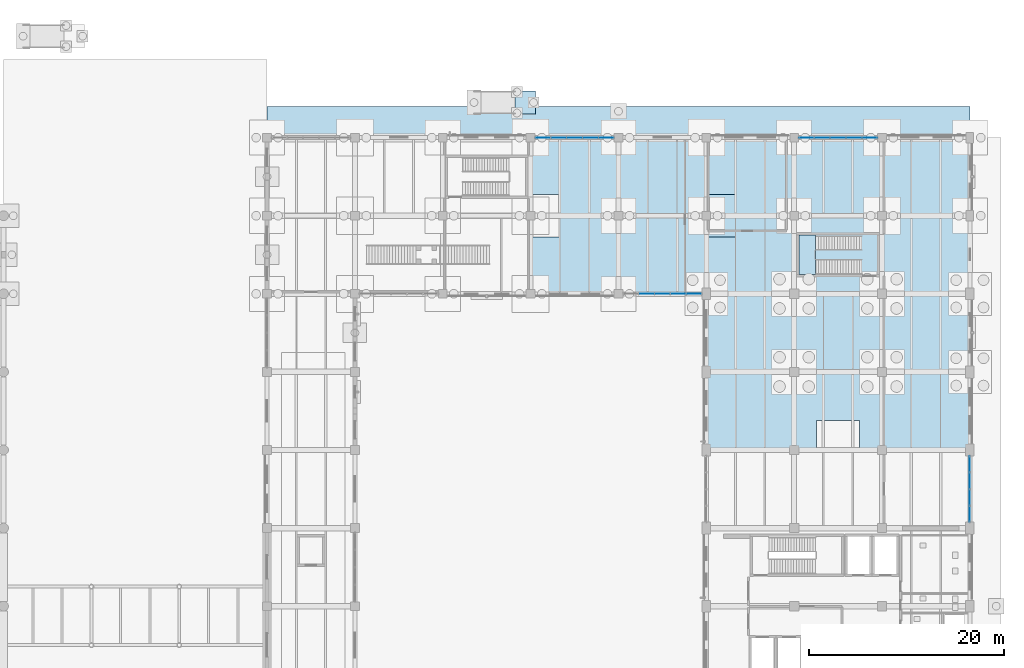
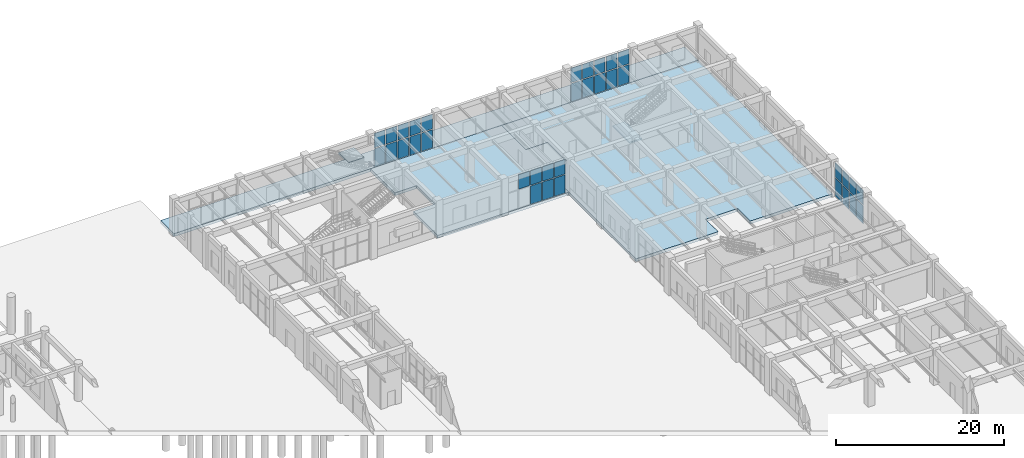
# One storey, part 87 of 121: 35 plates, 5 slabs, 6 elements without a shape of their own.
"""IFC4 building model written with IfcOpenShell, lengths in metres."""

import ifcopenshell
import ifcopenshell.guid

model = None  # the IFC model being written
_history = None  # IfcOwnerHistory: only IFC2X3 demands one
_inside = {}  # id of a spatial element -> (the spatial element, [elements in it])
_under = {}  # id of a project, library or spatial element -> (it, [spatial elements below it])
_declared = {}  # id of a project -> (the project, [libraries it declares])
_typed = {}  # id of a type object -> (the type object, [elements of that type])
_made_of = {}  # id of a material, layer set ... -> (it, [elements and type objects made of it])


def new_model(schema):
    """Start an empty IFC model of exactly this schema.

    Asked for "IFC4X3", IfcOpenShell would pick the latest addendum, in which some entities
    have other attributes; the version numbers below select the first issue.
    IFC2X3 requires an IfcOwnerHistory on every rooted entity: one is made here for all.
    """
    global model, _history
    if schema == "IFC4X3":
        model = ifcopenshell.file(schema_version=(4, 3, 0, 0))
    else:
        model = ifcopenshell.file(schema=schema)
    _inside.clear()
    _under.clear()
    _declared.clear()
    _typed.clear()
    _made_of.clear()
    _history = None
    if model.schema == "IFC2X3":
        org = make("IfcOrganization", Name="unknown")
        user = make(
            "IfcPersonAndOrganization",
            ThePerson=make("IfcPerson", FamilyName="unknown"),
            TheOrganization=org,
        )
        app = make(
            "IfcApplication",
            ApplicationDeveloper=org,
            Version="unknown",
            ApplicationFullName="unknown",
            ApplicationIdentifier="unknown",
        )
        _history = make(
            "IfcOwnerHistory",
            OwningUser=user,
            OwningApplication=app,
            ChangeAction="ADDED",
            CreationDate=0,
        )
    return model


def make(cls, **values):
    """One entity of the class cls with the attributes given. An attribute that is None is left unset."""
    return model.create_entity(
        cls, **{name: value for name, value in values.items() if value is not None}
    )


def rooted(cls, **values):
    """An entity with a GlobalId (a new one), such as an element, a storey or a relation."""
    return make(cls, GlobalId=ifcopenshell.guid.new(), OwnerHistory=_history, **values)


def si_unit(unit_type, name, prefix=None):
    """IfcSIUnit, for example si_unit("LENGTHUNIT", "METRE", prefix="MILLI")."""
    return make("IfcSIUnit", UnitType=unit_type, Prefix=prefix, Name=name)


def derived_unit(unit_type, elements):
    """IfcDerivedUnit: a product of units, each with its exponent."""
    return make(
        "IfcDerivedUnit",
        Elements=[
            make("IfcDerivedUnitElement", Unit=unit, Exponent=power)
            for unit, power in elements
        ],
        UnitType=unit_type,
    )


def assignment(units):
    """IfcUnitAssignment: the units of a project."""
    return None if units is None else make("IfcUnitAssignment", Units=units)


def point(xyz):
    """IfcCartesianPoint."""
    return None if xyz is None else make("IfcCartesianPoint", Coordinates=xyz)


def direction(xyz):
    """IfcDirection."""
    return None if xyz is None else make("IfcDirection", DirectionRatios=xyz)


def frame(location, z_axis=None, x_axis=None):
    """IfcAxis2Placement3D, a coordinate frame: its origin and axes. An axis left out is left unset."""
    return make(
        "IfcAxis2Placement3D",
        Location=point(location),
        Axis=direction(z_axis),
        RefDirection=direction(x_axis),
    )


def frame_2d(location, x_axis=None):
    """IfcAxis2Placement2D, a coordinate frame in the plane: its origin and x axis."""
    return make(
        "IfcAxis2Placement2D", Location=point(location), RefDirection=direction(x_axis)
    )


def origin():
    """The frame at (0, 0, 0) with its axes left unset."""
    return frame((0.0, 0.0, 0.0))


def origin_2d():
    """The frame at (0, 0) in the plane with its x axis left unset."""
    return frame_2d((0.0, 0.0))


def place(relative_to, where):
    """IfcLocalPlacement: puts the frame where relative to a parent placement (None: the world)."""
    return make(
        "IfcLocalPlacement", PlacementRelTo=relative_to, RelativePlacement=where
    )


def context(
    kind, dimensions, precision=None, world=None, true_north=None, identifier=None
):
    """IfcGeometricRepresentationContext, for example the 3D "Model" context."""
    return make(
        "IfcGeometricRepresentationContext",
        ContextIdentifier=identifier,
        ContextType=kind,
        CoordinateSpaceDimension=dimensions,
        Precision=precision,
        WorldCoordinateSystem=world,
        TrueNorth=true_north,
    )


def subcontext(parent, identifier, kind, view, scale=None):
    """IfcGeometricRepresentationSubContext, for example "Body" below "Model"."""
    return make(
        "IfcGeometricRepresentationSubContext",
        ContextIdentifier=identifier,
        ContextType=kind,
        ParentContext=parent,
        TargetScale=scale,
        TargetView=view,
    )


def project(units=None, contexts=None):
    """IfcProject with its units and contexts."""
    return rooted(
        "IfcProject",
        Name="project",
        RepresentationContexts=contexts,
        UnitsInContext=assignment(units),
    )


def spatial(cls, under=None, at=None, **own):
    """A site, building, storey or space (cls), placed at a placement, below another one or the project."""
    s = rooted(cls, ObjectPlacement=at, **own)
    if under is not None:
        _under.setdefault(under.id(), (under, []))[1].append(s)
    return s


def polyline(points):
    """IfcPolyline through the points."""
    return make("IfcPolyline", Points=[point(p) for p in points])


def profile(cls, at=None, kind="AREA", **sizes):
    """A parametric profile (cls). Its sizes go by their IFC names, for example OverallWidth=200.0."""
    return make(cls, ProfileType=kind, Position=at, **sizes)


def rectangle(**sizes):
    """IfcRectangleProfileDef."""
    return profile("IfcRectangleProfileDef", **sizes)


def outline(outer, holes=None, kind="AREA"):
    """IfcArbitraryClosedProfileDef: a profile drawn as a closed curve; with holes, ...WithVoids."""
    if holes is None:
        return make("IfcArbitraryClosedProfileDef", ProfileType=kind, OuterCurve=outer)
    return make(
        "IfcArbitraryProfileDefWithVoids",
        ProfileType=kind,
        OuterCurve=outer,
        InnerCurves=holes,
    )


def extrude(swept, where, along, depth):
    """IfcExtrudedAreaSolid: the profile swept, set in the frame where, extruded along a direction by depth."""
    return make(
        "IfcExtrudedAreaSolid",
        SweptArea=swept,
        Position=where,
        ExtrudedDirection=direction(along),
        Depth=depth,
    )


def shape(context_of_items, identifier, shape_type, items):
    """IfcShapeRepresentation: the items that make up one representation, for example the "Body"."""
    return make(
        "IfcShapeRepresentation",
        ContextOfItems=context_of_items,
        RepresentationIdentifier=identifier,
        RepresentationType=shape_type,
        Items=items,
    )


def material(Name=None, Category=None):
    """IfcMaterial."""
    return make("IfcMaterial", Name=Name, Category=Category)


def layer(
    of_material, thickness, ventilated=None, Name=None, Category=None, Priority=None
):
    """IfcMaterialLayer: one layer of a wall or slab, of a material (None: an air gap)."""
    return make(
        "IfcMaterialLayer",
        Material=of_material,
        LayerThickness=thickness,
        IsVentilated=ventilated,
        Name=Name,
        Category=Category,
        Priority=Priority,
    )


def layer_set(layers, Name=None):
    """IfcMaterialLayerSet."""
    return make("IfcMaterialLayerSet", MaterialLayers=layers, LayerSetName=Name)


def made_of(thing, what):
    """Note that an element or type object is made of a material, layer set ...; save() writes the relation."""
    if what is not None:
        _made_of.setdefault(what.id(), (what, []))[1].append(thing)
    return thing


def type_object(cls, material=None, **own):
    """A type object (cls), such as IfcWallType, which elements share."""
    return made_of(rooted(cls, **own), material)


def element(
    cls,
    number,
    at=None,
    inside=None,
    cuts=None,
    type_object=None,
    material=None,
    context=None,
    identifier="Body",
    shape_type=None,
    held_by="IfcProductDefinitionShape",
    body=None,
    shapes=None,
    **own,
):
    """One element of the class cls, such as IfcWall. Its Tag is "e" and its number.

    at: its placement. inside: the storey or other place that contains it. cuts: it is an
    opening in that element (IfcRelVoidsElement). A single representation is given by context,
    identifier, shape_type and body (its items); several are given by shapes. held_by: the class
    of the entity that holds the representations. save() writes the other relations.
    """
    e = rooted(cls, Tag="e%d" % number, ObjectPlacement=at, **own)
    if body is not None:
        shapes = [shape(context, identifier, shape_type, body)]
    if shapes is not None:
        e.Representation = make(held_by, Representations=shapes)
    if inside is not None:
        _inside.setdefault(inside.id(), (inside, []))[1].append(e)
    if cuts is not None:
        rooted(
            "IfcRelVoidsElement", RelatingBuildingElement=cuts, RelatedOpeningElement=e
        )
    if type_object is not None:
        _typed.setdefault(type_object.id(), (type_object, []))[1].append(e)
    return made_of(e, material)


def aggregate(whole, parts):
    """IfcRelAggregates: a whole, such as a stair, and the parts it consists of."""
    return rooted("IfcRelAggregates", RelatingObject=whole, RelatedObjects=parts)


def save(model, path):
    """Write the relations noted so far, then the file.

    IfcRelAggregates (storeys below a building ...), IfcRelContainedInSpatialStructure (elements
    in a storey), IfcRelDefinesByType, IfcRelAssociatesMaterial and IfcRelDeclares: one each for
    every whole, place, type object, material and project.
    """
    for whole, parts in _under.values():
        aggregate(whole, parts)
    for where, things in _inside.values():
        rooted(
            "IfcRelContainedInSpatialStructure",
            RelatedElements=things,
            RelatingStructure=where,
        )
    for kind, things in _typed.values():
        rooted("IfcRelDefinesByType", RelatedObjects=things, RelatingType=kind)
    for what, things in _made_of.values():
        rooted("IfcRelAssociatesMaterial", RelatedObjects=things, RelatingMaterial=what)
    for by, libraries in _declared.values():
        rooted("IfcRelDeclares", RelatingContext=by, RelatedDefinitions=libraries)
    model.write(path)


model = new_model("IFC4")

# Units and contexts
model_context = context("Model", 3, precision=1e-05, world=origin(), true_north=direction((0.0, 1.0)))
body_context = subcontext(model_context, "Body", "Model", "MODEL_VIEW")
ifc_project = project(units=[si_unit("LENGTHUNIT", "METRE"), si_unit("AREAUNIT", "SQUARE_METRE"), si_unit("VOLUMEUNIT", "CUBIC_METRE"), si_unit("PLANEANGLEUNIT", "RADIAN"), si_unit("MASSUNIT", "GRAM", prefix="KILO"), derived_unit("THERMALTRANSMITTANCEUNIT", [(si_unit("MASSUNIT", "GRAM", prefix="KILO"), 1), (si_unit("TIMEUNIT", "SECOND"), -3), (si_unit("THERMODYNAMICTEMPERATUREUNIT", "KELVIN"), -1)])], contexts=[model_context])

# Site, building, storey
site_placement = place(None, origin())
site = spatial("IfcSite", under=ifc_project, at=site_placement, CompositionType="ELEMENT")
building_placement = place(site_placement, origin())
building = spatial("IfcBuilding", under=site, at=building_placement, Name="Zhenchuan Archway Interchange", CompositionType="ELEMENT")
storey_placement = place(building_placement, origin())
storey = spatial("IfcBuildingStorey", under=building, at=storey_placement, Name="L00", CompositionType="ELEMENT", Elevation=0.0)

# Curtain wall, plates
ifc_material_1 = material(Name="Anodised Aluminium", Category="aluminium")
curtain_wall_type_1 = type_object("IfcCurtainWallType", Name="CW_UNIT_1", PredefinedType="NOTDEFINED", material=ifc_material_1)
curtain_wall_1_placement = place(storey_placement, origin())
curtain_wall_1 = element("IfcCurtainWall", 1, at=curtain_wall_1_placement, inside=storey, type_object=curtain_wall_type_1, Name="Unitised curtain wall CW:L00:012", PredefinedType="NOTDEFINED")
ifc_material_2 = material(Name="Double Low-E Insulated Glazing", Category="glass")
ifc_layer_1 = layer(ifc_material_2, 0.031982421875)
ifc_layer_set_1 = layer_set([ifc_layer_1], Name="Double Low-E Insulated Glazing")
plate_type_1 = type_object("IfcPlateType", Name="CW_GLZ_5", PredefinedType="CURTAIN_PANEL", material=ifc_layer_set_1)
plate_1_placement = place(storey_placement, frame((127.244384765625, 104.0, 0.080078125), z_axis=(0.0, 0.0, 1.0), x_axis=(1.0, 0.0, 0.0)))
plate_1 = element("IfcPlate", 2, at=plate_1_placement, type_object=plate_type_1, Name="CW:L00:012 lower glazing panel 0", PredefinedType="CURTAIN_PANEL", context=body_context, shape_type="SweptSolid", body=[
    extrude(rectangle(XDim=1.472900390625, YDim=0.028076171875, at=origin_2d()), origin(), (0.0, 0.0, 1.0), 2.64306640625),
])
plate_2_placement = place(storey_placement, frame((128.8671875, 104.0, 0.080078125), z_axis=(0.0, 0.0, 1.0), x_axis=(1.0, 0.0, 0.0)))
plate_2 = element("IfcPlate", 3, at=plate_2_placement, type_object=plate_type_1, Name="CW:L00:012 lower glazing panel 1", PredefinedType="CURTAIN_PANEL", context=body_context, shape_type="SweptSolid", body=[
    extrude(rectangle(XDim=1.492919921875, YDim=0.028076171875, at=origin_2d()), origin(), (0.0, 0.0, 1.0), 2.64306640625),
])
plate_3_placement = place(storey_placement, frame((130.5, 104.0, 0.080078125), z_axis=(0.0, 0.0, 1.0), x_axis=(1.0, 0.0, 0.0)))
plate_3 = element("IfcPlate", 4, at=plate_3_placement, type_object=plate_type_1, Name="CW:L00:012 lower glazing panel 2", PredefinedType="CURTAIN_PANEL", context=body_context, shape_type="SweptSolid", body=[
    extrude(rectangle(XDim=1.492919921875, YDim=0.028076171875, at=origin_2d()), origin(), (0.0, 0.0, 1.0), 2.64306640625),
])
plate_4_placement = place(storey_placement, frame((132.1328125, 104.0, 0.080078125), z_axis=(0.0, 0.0, 1.0), x_axis=(1.0, 0.0, 0.0)))
plate_4 = element("IfcPlate", 5, at=plate_4_placement, type_object=plate_type_1, Name="CW:L00:012 lower glazing panel 3", PredefinedType="CURTAIN_PANEL", context=body_context, shape_type="SweptSolid", body=[
    extrude(rectangle(XDim=1.492919921875, YDim=0.028076171875, at=origin_2d()), origin(), (0.0, 0.0, 1.0), 2.64306640625),
])
plate_5_placement = place(storey_placement, frame((133.755615234375, 104.0, 0.080078125), z_axis=(0.0, 0.0, 1.0), x_axis=(1.0, 0.0, 0.0)))
plate_5 = element("IfcPlate", 6, at=plate_5_placement, type_object=plate_type_1, Name="CW:L00:012 lower glazing panel 4", PredefinedType="CURTAIN_PANEL", context=body_context, shape_type="SweptSolid", body=[
    extrude(rectangle(XDim=1.472900390625, YDim=0.028076171875, at=origin_2d()), origin(), (0.0, 0.0, 1.0), 2.64306640625),
])

curtain_wall_type_2 = type_object("IfcCurtainWallType", Name="CW_UNIT_2", PredefinedType="NOTDEFINED", material=ifc_material_1)
curtain_wall_2_placement = place(storey_placement, origin())
curtain_wall_2 = element("IfcCurtainWall", 7, at=curtain_wall_2_placement, inside=storey, type_object=curtain_wall_type_2, Name="Unitised curtain wall CW:L00:013", PredefinedType="NOTDEFINED")
plate_6_placement = place(storey_placement, frame((154.244384765625, 104.0, 0.080078125), z_axis=(0.0, 0.0, 1.0), x_axis=(1.0, 0.0, 0.0)))
plate_6 = element("IfcPlate", 8, at=plate_6_placement, type_object=plate_type_1, Name="CW:L00:013 lower glazing panel 0", PredefinedType="CURTAIN_PANEL", context=body_context, shape_type="SweptSolid", body=[
    extrude(rectangle(XDim=1.472900390625, YDim=0.028076171875, at=origin_2d()), origin(), (0.0, 0.0, 1.0), 2.64306640625),
])
plate_7_placement = place(storey_placement, frame((155.8671875, 104.0, 0.080078125), z_axis=(0.0, 0.0, 1.0), x_axis=(1.0, 0.0, 0.0)))
plate_7 = element("IfcPlate", 9, at=plate_7_placement, type_object=plate_type_1, Name="CW:L00:013 lower glazing panel 1", PredefinedType="CURTAIN_PANEL", context=body_context, shape_type="SweptSolid", body=[
    extrude(rectangle(XDim=1.492919921875, YDim=0.028076171875, at=origin_2d()), origin(), (0.0, 0.0, 1.0), 2.64306640625),
])
plate_8_placement = place(storey_placement, frame((157.5, 104.0, 0.080078125), z_axis=(0.0, 0.0, 1.0), x_axis=(1.0, 0.0, 0.0)))
plate_8 = element("IfcPlate", 10, at=plate_8_placement, type_object=plate_type_1, Name="CW:L00:013 lower glazing panel 2", PredefinedType="CURTAIN_PANEL", context=body_context, shape_type="SweptSolid", body=[
    extrude(rectangle(XDim=1.492919921875, YDim=0.028076171875, at=origin_2d()), origin(), (0.0, 0.0, 1.0), 2.64306640625),
])
plate_9_placement = place(storey_placement, frame((159.1328125, 104.0, 0.080078125), z_axis=(0.0, 0.0, 1.0), x_axis=(1.0, 0.0, 0.0)))
plate_9 = element("IfcPlate", 11, at=plate_9_placement, type_object=plate_type_1, Name="CW:L00:013 lower glazing panel 3", PredefinedType="CURTAIN_PANEL", context=body_context, shape_type="SweptSolid", body=[
    extrude(rectangle(XDim=1.492919921875, YDim=0.028076171875, at=origin_2d()), origin(), (0.0, 0.0, 1.0), 2.64306640625),
])
plate_10_placement = place(storey_placement, frame((160.755615234375, 104.0, 0.080078125), z_axis=(0.0, 0.0, 1.0), x_axis=(1.0, 0.0, 0.0)))
plate_10 = element("IfcPlate", 12, at=plate_10_placement, type_object=plate_type_1, Name="CW:L00:013 lower glazing panel 4", PredefinedType="CURTAIN_PANEL", context=body_context, shape_type="SweptSolid", body=[
    extrude(rectangle(XDim=1.472900390625, YDim=0.028076171875, at=origin_2d()), origin(), (0.0, 0.0, 1.0), 2.64306640625),
])

curtain_wall_type_3 = type_object("IfcCurtainWallType", Name="CW_UNIT_3", PredefinedType="NOTDEFINED", material=ifc_material_1)
curtain_wall_3_placement = place(storey_placement, origin())
curtain_wall_3 = element("IfcCurtainWall", 13, at=curtain_wall_3_placement, inside=storey, type_object=curtain_wall_type_3, Name="Unitised curtain wall CW:L00:014", PredefinedType="NOTDEFINED")
plate_11_placement = place(storey_placement, frame((171.0, 70.56396484375, 0.080078125), z_axis=(0.0, 0.0, 1.0), x_axis=(0.0, -1.0, 0.0)))
plate_11 = element("IfcPlate", 14, at=plate_11_placement, type_object=plate_type_1, Name="CW:L00:014 lower glazing panel 0", PredefinedType="CURTAIN_PANEL", context=body_context, shape_type="SweptSolid", body=[
    extrude(rectangle(XDim=1.555908203125, YDim=0.028076171875, at=origin_2d()), origin(), (0.0, 0.0, 1.0), 2.64306640625),
])
plate_12_placement = place(storey_placement, frame((171.0, 68.85791015625, 0.080078125), z_axis=(0.0, 0.0, 1.0), x_axis=(0.0, -1.0, 0.0)))
plate_12 = element("IfcPlate", 15, at=plate_12_placement, type_object=plate_type_1, Name="CW:L00:014 lower glazing panel 1", PredefinedType="CURTAIN_PANEL", context=body_context, shape_type="SweptSolid", body=[
    extrude(rectangle(XDim=1.575927734375, YDim=0.028076171875, at=origin_2d()), origin(), (0.0, 0.0, 1.0), 2.64306640625),
])
plate_13_placement = place(storey_placement, frame((171.0, 67.14208984375, 0.080078125), z_axis=(0.0, 0.0, 1.0), x_axis=(0.0, -1.0, 0.0)))
plate_13 = element("IfcPlate", 16, at=plate_13_placement, type_object=plate_type_1, Name="CW:L00:014 lower glazing panel 2", PredefinedType="CURTAIN_PANEL", context=body_context, shape_type="SweptSolid", body=[
    extrude(rectangle(XDim=1.575927734375, YDim=0.028076171875, at=origin_2d()), origin(), (0.0, 0.0, 1.0), 2.64306640625),
])
plate_14_placement = place(storey_placement, frame((171.0, 65.43603515625, 0.080078125), z_axis=(0.0, 0.0, 1.0), x_axis=(0.0, -1.0, 0.0)))
plate_14 = element("IfcPlate", 17, at=plate_14_placement, type_object=plate_type_1, Name="CW:L00:014 lower glazing panel 3", PredefinedType="CURTAIN_PANEL", context=body_context, shape_type="SweptSolid", body=[
    extrude(rectangle(XDim=1.555908203125, YDim=0.028076171875, at=origin_2d()), origin(), (0.0, 0.0, 1.0), 2.64306640625),
])

curtain_wall_type_4 = type_object("IfcCurtainWallType", Name="CW_UNIT_4", PredefinedType="NOTDEFINED", material=ifc_material_1)
curtain_wall_4_placement = place(storey_placement, origin())
curtain_wall_4 = element("IfcCurtainWall", 18, at=curtain_wall_4_placement, inside=storey, type_object=curtain_wall_type_4, Name="Unitised curtain wall CW:L00:023", PredefinedType="NOTDEFINED")
plate_15_placement = place(storey_placement, frame((142.755615234375, 88.0, 0.080078125), z_axis=(0.0, 0.0, 1.0), x_axis=(-1.0, 0.0, 0.0)))
plate_15 = element("IfcPlate", 19, at=plate_15_placement, type_object=plate_type_1, Name="CW:L00:023 lower glazing panel 0", PredefinedType="CURTAIN_PANEL", context=body_context, shape_type="SweptSolid", body=[
    extrude(rectangle(XDim=1.472900390625, YDim=0.028076171875, at=origin_2d()), origin(), (0.0, 0.0, 1.0), 2.64306640625),
])
plate_16_placement = place(storey_placement, frame((141.1328125, 88.0, 0.080078125), z_axis=(0.0, 0.0, 1.0), x_axis=(-1.0, 0.0, 0.0)))
plate_16 = element("IfcPlate", 20, at=plate_16_placement, type_object=plate_type_1, Name="CW:L00:023 lower glazing panel 1", PredefinedType="CURTAIN_PANEL", context=body_context, shape_type="SweptSolid", body=[
    extrude(rectangle(XDim=1.492919921875, YDim=0.028076171875, at=origin_2d()), origin(), (0.0, 0.0, 1.0), 2.64306640625),
])
plate_17_placement = place(storey_placement, frame((139.5, 88.0, 0.080078125), z_axis=(0.0, 0.0, 1.0), x_axis=(-1.0, 0.0, 0.0)))
plate_17 = element("IfcPlate", 21, at=plate_17_placement, type_object=plate_type_1, Name="CW:L00:023 lower glazing panel 2", PredefinedType="CURTAIN_PANEL", context=body_context, shape_type="SweptSolid", body=[
    extrude(rectangle(XDim=1.492919921875, YDim=0.028076171875, at=origin_2d()), origin(), (0.0, 0.0, 1.0), 2.64306640625),
])

# Plate
ifc_layer_2 = layer(ifc_material_2, 0.02197265625)
ifc_layer_set_2 = layer_set([ifc_layer_2], Name="Double Low-E Insulated Glazing")
plate_type_2 = type_object("IfcPlateType", Name="CW_GLZ_6", PredefinedType="CURTAIN_PANEL", material=ifc_layer_set_2)
plate_18_placement = place(storey_placement, frame((127.244384765625, 104.0, 2.84326171875), z_axis=(0.0, 0.0, 1.0), x_axis=(1.0, 0.0, 0.0)))
plate_18 = element("IfcPlate", 22, at=plate_18_placement, type_object=plate_type_2, Name="CW:L00:012 upper glazing panel 0", PredefinedType="CURTAIN_PANEL", context=body_context, shape_type="SweptSolid", body=[
    extrude(rectangle(XDim=1.472900390625, YDim=0.02587890625, at=origin_2d()), origin(), (0.0, 0.0, 1.0), 2.136962890625),
])

plate_19_placement = place(storey_placement, frame((128.8671875, 104.0, 2.84326171875), z_axis=(0.0, 0.0, 1.0), x_axis=(1.0, 0.0, 0.0)))
plate_19 = element("IfcPlate", 23, at=plate_19_placement, type_object=plate_type_2, Name="CW:L00:012 upper glazing panel 1", PredefinedType="CURTAIN_PANEL", context=body_context, shape_type="SweptSolid", body=[
    extrude(rectangle(XDim=1.492919921875, YDim=0.02587890625, at=origin_2d()), origin(), (0.0, 0.0, 1.0), 2.136962890625),
])

plate_20_placement = place(storey_placement, frame((130.5, 104.0, 2.84326171875), z_axis=(0.0, 0.0, 1.0), x_axis=(1.0, 0.0, 0.0)))
plate_20 = element("IfcPlate", 24, at=plate_20_placement, type_object=plate_type_2, Name="CW:L00:012 upper glazing panel 2", PredefinedType="CURTAIN_PANEL", context=body_context, shape_type="SweptSolid", body=[
    extrude(rectangle(XDim=1.492919921875, YDim=0.02587890625, at=origin_2d()), origin(), (0.0, 0.0, 1.0), 2.136962890625),
])

plate_21_placement = place(storey_placement, frame((132.1328125, 104.0, 2.84326171875), z_axis=(0.0, 0.0, 1.0), x_axis=(1.0, 0.0, 0.0)))
plate_21 = element("IfcPlate", 25, at=plate_21_placement, type_object=plate_type_2, Name="CW:L00:012 upper glazing panel 3", PredefinedType="CURTAIN_PANEL", context=body_context, shape_type="SweptSolid", body=[
    extrude(rectangle(XDim=1.492919921875, YDim=0.02587890625, at=origin_2d()), origin(), (0.0, 0.0, 1.0), 2.136962890625),
])

plate_22_placement = place(storey_placement, frame((133.755615234375, 104.0, 2.84326171875), z_axis=(0.0, 0.0, 1.0), x_axis=(1.0, 0.0, 0.0)))
plate_22 = element("IfcPlate", 26, at=plate_22_placement, type_object=plate_type_2, Name="CW:L00:012 upper glazing panel 4", PredefinedType="CURTAIN_PANEL", context=body_context, shape_type="SweptSolid", body=[
    extrude(rectangle(XDim=1.472900390625, YDim=0.02587890625, at=origin_2d()), origin(), (0.0, 0.0, 1.0), 2.136962890625),
])

aggregate(curtain_wall_1, [plate_1, plate_18, plate_2, plate_19, plate_3, plate_20, plate_4, plate_21, plate_5, plate_22])

plate_23_placement = place(storey_placement, frame((154.244384765625, 104.0, 2.84326171875), z_axis=(0.0, 0.0, 1.0), x_axis=(1.0, 0.0, 0.0)))
plate_23 = element("IfcPlate", 27, at=plate_23_placement, type_object=plate_type_2, Name="CW:L00:013 upper glazing panel 0", PredefinedType="CURTAIN_PANEL", context=body_context, shape_type="SweptSolid", body=[
    extrude(rectangle(XDim=1.472900390625, YDim=0.02587890625, at=origin_2d()), origin(), (0.0, 0.0, 1.0), 2.136962890625),
])

plate_24_placement = place(storey_placement, frame((155.8671875, 104.0, 2.84326171875), z_axis=(0.0, 0.0, 1.0), x_axis=(1.0, 0.0, 0.0)))
plate_24 = element("IfcPlate", 28, at=plate_24_placement, type_object=plate_type_2, Name="CW:L00:013 upper glazing panel 1", PredefinedType="CURTAIN_PANEL", context=body_context, shape_type="SweptSolid", body=[
    extrude(rectangle(XDim=1.492919921875, YDim=0.02587890625, at=origin_2d()), origin(), (0.0, 0.0, 1.0), 2.136962890625),
])

plate_25_placement = place(storey_placement, frame((157.5, 104.0, 2.84326171875), z_axis=(0.0, 0.0, 1.0), x_axis=(1.0, 0.0, 0.0)))
plate_25 = element("IfcPlate", 29, at=plate_25_placement, type_object=plate_type_2, Name="CW:L00:013 upper glazing panel 2", PredefinedType="CURTAIN_PANEL", context=body_context, shape_type="SweptSolid", body=[
    extrude(rectangle(XDim=1.492919921875, YDim=0.02587890625, at=origin_2d()), origin(), (0.0, 0.0, 1.0), 2.136962890625),
])

plate_26_placement = place(storey_placement, frame((159.1328125, 104.0, 2.84326171875), z_axis=(0.0, 0.0, 1.0), x_axis=(1.0, 0.0, 0.0)))
plate_26 = element("IfcPlate", 30, at=plate_26_placement, type_object=plate_type_2, Name="CW:L00:013 upper glazing panel 3", PredefinedType="CURTAIN_PANEL", context=body_context, shape_type="SweptSolid", body=[
    extrude(rectangle(XDim=1.492919921875, YDim=0.02587890625, at=origin_2d()), origin(), (0.0, 0.0, 1.0), 2.136962890625),
])

plate_27_placement = place(storey_placement, frame((160.755615234375, 104.0, 2.84326171875), z_axis=(0.0, 0.0, 1.0), x_axis=(1.0, 0.0, 0.0)))
plate_27 = element("IfcPlate", 31, at=plate_27_placement, type_object=plate_type_2, Name="CW:L00:013 upper glazing panel 4", PredefinedType="CURTAIN_PANEL", context=body_context, shape_type="SweptSolid", body=[
    extrude(rectangle(XDim=1.472900390625, YDim=0.02587890625, at=origin_2d()), origin(), (0.0, 0.0, 1.0), 2.136962890625),
])

aggregate(curtain_wall_2, [plate_6, plate_23, plate_7, plate_24, plate_8, plate_25, plate_9, plate_26, plate_10, plate_27])

plate_28_placement = place(storey_placement, frame((171.0, 70.56396484375, 2.84326171875), z_axis=(0.0, 0.0, 1.0), x_axis=(0.0, -1.0, 0.0)))
plate_28 = element("IfcPlate", 32, at=plate_28_placement, type_object=plate_type_2, Name="CW:L00:014 upper glazing panel 0", PredefinedType="CURTAIN_PANEL", context=body_context, shape_type="SweptSolid", body=[
    extrude(rectangle(XDim=1.555908203125, YDim=0.02587890625, at=origin_2d()), origin(), (0.0, 0.0, 1.0), 2.136962890625),
])

plate_29_placement = place(storey_placement, frame((171.0, 68.85791015625, 2.84326171875), z_axis=(0.0, 0.0, 1.0), x_axis=(0.0, -1.0, 0.0)))
plate_29 = element("IfcPlate", 33, at=plate_29_placement, type_object=plate_type_2, Name="CW:L00:014 upper glazing panel 1", PredefinedType="CURTAIN_PANEL", context=body_context, shape_type="SweptSolid", body=[
    extrude(rectangle(XDim=1.575927734375, YDim=0.02587890625, at=origin_2d()), origin(), (0.0, 0.0, 1.0), 2.136962890625),
])

plate_30_placement = place(storey_placement, frame((171.0, 67.14208984375, 2.84326171875), z_axis=(0.0, 0.0, 1.0), x_axis=(0.0, -1.0, 0.0)))
plate_30 = element("IfcPlate", 34, at=plate_30_placement, type_object=plate_type_2, Name="CW:L00:014 upper glazing panel 2", PredefinedType="CURTAIN_PANEL", context=body_context, shape_type="SweptSolid", body=[
    extrude(rectangle(XDim=1.575927734375, YDim=0.02587890625, at=origin_2d()), origin(), (0.0, 0.0, 1.0), 2.136962890625),
])

plate_31_placement = place(storey_placement, frame((171.0, 65.43603515625, 2.84326171875), z_axis=(0.0, 0.0, 1.0), x_axis=(0.0, -1.0, 0.0)))
plate_31 = element("IfcPlate", 35, at=plate_31_placement, type_object=plate_type_2, Name="CW:L00:014 upper glazing panel 3", PredefinedType="CURTAIN_PANEL", context=body_context, shape_type="SweptSolid", body=[
    extrude(rectangle(XDim=1.555908203125, YDim=0.02587890625, at=origin_2d()), origin(), (0.0, 0.0, 1.0), 2.136962890625),
])

aggregate(curtain_wall_3, [plate_11, plate_28, plate_12, plate_29, plate_13, plate_30, plate_14, plate_31])

plate_32_placement = place(storey_placement, frame((142.755615234375, 88.0, 2.84326171875), z_axis=(0.0, 0.0, 1.0), x_axis=(-1.0, 0.0, 0.0)))
plate_32 = element("IfcPlate", 36, at=plate_32_placement, type_object=plate_type_2, Name="CW:L00:023 upper glazing panel 0", PredefinedType="CURTAIN_PANEL", context=body_context, shape_type="SweptSolid", body=[
    extrude(rectangle(XDim=1.472900390625, YDim=0.02587890625, at=origin_2d()), origin(), (0.0, 0.0, 1.0), 2.136962890625),
])

plate_33_placement = place(storey_placement, frame((141.1328125, 88.0, 2.84326171875), z_axis=(0.0, 0.0, 1.0), x_axis=(-1.0, 0.0, 0.0)))
plate_33 = element("IfcPlate", 37, at=plate_33_placement, type_object=plate_type_2, Name="CW:L00:023 upper glazing panel 1", PredefinedType="CURTAIN_PANEL", context=body_context, shape_type="SweptSolid", body=[
    extrude(rectangle(XDim=1.492919921875, YDim=0.02587890625, at=origin_2d()), origin(), (0.0, 0.0, 1.0), 2.136962890625),
])

plate_34_placement = place(storey_placement, frame((139.5, 88.0, 2.84326171875), z_axis=(0.0, 0.0, 1.0), x_axis=(-1.0, 0.0, 0.0)))
plate_34 = element("IfcPlate", 38, at=plate_34_placement, type_object=plate_type_2, Name="CW:L00:023 upper glazing panel 2", PredefinedType="CURTAIN_PANEL", context=body_context, shape_type="SweptSolid", body=[
    extrude(rectangle(XDim=1.492919921875, YDim=0.02587890625, at=origin_2d()), origin(), (0.0, 0.0, 1.0), 2.136962890625),
])

plate_35_placement = place(storey_placement, frame((137.8671875, 88.0, 2.84326171875), z_axis=(0.0, 0.0, 1.0), x_axis=(-1.0, 0.0, 0.0)))
plate_35 = element("IfcPlate", 39, at=plate_35_placement, type_object=plate_type_2, Name="CW:L00:023 upper glazing panel 3", PredefinedType="CURTAIN_PANEL", context=body_context, shape_type="SweptSolid", body=[
    extrude(rectangle(XDim=1.492919921875, YDim=0.02587890625, at=origin_2d()), origin(), (0.0, 0.0, 1.0), 2.136962890625),
])

aggregate(curtain_wall_4, [plate_15, plate_32, plate_16, plate_33, plate_17, plate_34, plate_35])

# Slabs
ifc_material_3 = material(Name="Concrete C40", Category="concrete")
ifc_layer_3 = layer(ifc_material_3, 0.419921875)
ifc_layer_set_3 = layer_set([ifc_layer_3], Name="Concrete C40")
slab_type_1 = type_object("IfcSlabType", Name="SLB_FLR_420", PredefinedType="FLOOR", material=ifc_layer_set_3)
slab_1_placement = place(storey_placement, frame((0.0, 0.0, -0.419921875)))
element("IfcSlab", 40, at=slab_1_placement, inside=storey, type_object=slab_type_1, Name="Structural slab L00 OPS-N2", PredefinedType="FLOOR", context=body_context, shape_type="SweptSolid", body=[
    extrude(outline(polyline([(144.0, 104.0), (144.0, 98.197998046875), (146.998046875, 98.197998046875), (146.998046875, 93.802001953125), (144.0, 93.802001953125), (144.0, 88.0), (126.0, 88.0), (126.0, 93.800048828125), (129.0, 93.800048828125), (129.0, 98.199951171875), (126.0, 98.199951171875), (126.0, 104.0), (144.0, 104.0)])), origin(), (0.0, 0.0, 1.0), 0.419921875),
])
slab_2_placement = place(storey_placement, frame((0.0, 0.0, -0.419921875)))
element("IfcSlab", 41, at=slab_2_placement, inside=storey, type_object=slab_type_1, Name="Structural slab L00 OPS-EN", PredefinedType="FLOOR", context=body_context, shape_type="SweptSolid", body=[
    extrude(outline(polyline([(171.0, 104.0), (171.0, 72.0), (159.699951171875, 72.0), (159.699951171875, 75.0), (155.300048828125, 75.0), (155.300048828125, 72.0), (144.0, 72.0), (144.0, 93.800048828125), (147.0, 93.800048828125), (147.0, 98.199951171875), (144.0, 98.199951171875), (144.0, 104.0), (171.0, 104.0)])), origin(), (0.0, 0.0, 1.0), 0.419921875),
])
slab_3_placement = place(storey_placement, frame((0.0, 0.0, -0.419921875)))
element("IfcSlab", 42, at=slab_3_placement, inside=storey, type_object=slab_type_1, Name="Exterior structural deck slab WLK-OPS-N", PredefinedType="FLOOR", context=body_context, shape_type="SweptSolid", body=[
    extrude(outline(polyline([(171.0, 107.199951171875), (171.0, 104.0048828125), (99.001953125, 104.0048828125), (99.001953125, 107.199951171875), (124.389892578125, 107.199951171875), (124.389892578125, 106.389892578125), (126.510009765625, 106.389892578125), (126.510009765625, 107.199951171875), (171.0, 107.199951171875)])), origin(), (0.0, 0.0, 1.0), 0.419921875),
])

# Stair, slab
ifc_material_4 = material(Name="Concrete C35", Category="concrete")
stair_type = type_object("IfcStairType", Name="STR_HALF_1550", PredefinedType="HALF_TURN_STAIR", material=ifc_material_4)
stair_placement = place(storey_placement, origin())
stair = element("IfcStair", 43, at=stair_placement, inside=storey, type_object=stair_type, Name="Stair ST-O3 (L00)", PredefinedType="HALF_TURN_STAIR")
ifc_layer_4 = layer(ifc_material_4, 0.199951171875)
ifc_layer_set_4 = layer_set([ifc_layer_4], Name="Concrete C35")
slab_type_2 = type_object("IfcSlabType", Name="SLB_LANDING_200", PredefinedType="LANDING", material=ifc_layer_set_4)
slab_4_placement = place(storey_placement, frame((0.0, 0.0, 2.5)))
slab_4 = element("IfcSlab", 44, at=slab_4_placement, type_object=slab_type_2, Name="Stair ST-O3 half-landing (L00)", PredefinedType="LANDING", context=body_context, shape_type="SweptSolid", body=[
    extrude(outline(polyline([(153.5029296875, 89.972900390625), (155.195068359375, 89.972900390625), (155.195068359375, 94.027099609375), (153.5029296875, 94.027099609375), (153.5029296875, 89.972900390625)])), origin(), (0.0, 0.0, 1.0), 0.199951171875),
])
aggregate(stair, [slab_4])

# Ramp, slab
ramp_type = type_object("IfcRampType", Name="RMP_ACC_SYS", PredefinedType="USERDEFINED", material=ifc_material_4)
ramp_placement = place(storey_placement, origin())
ramp = element("IfcRamp", 45, at=ramp_placement, inside=storey, type_object=ramp_type, Name="North Transit Operations accessible entrance ramp RMP-A4", ObjectType="ACCESSIBLE_RAMP", PredefinedType="USERDEFINED")
ifc_layer_5 = layer(ifc_material_4, 0.219970703125)
ifc_layer_set_5 = layer_set([ifc_layer_5], Name="Concrete C35")
slab_type_3 = type_object("IfcSlabType", Name="SLB_LANDING_220", PredefinedType="LANDING", material=ifc_layer_set_5)
slab_5_placement = place(storey_placement, frame((0.0, 0.0, -0.25)))
slab_5 = element("IfcSlab", 46, at=slab_5_placement, type_object=slab_type_3, Name="RMP-A4 threshold landing", PredefinedType="LANDING", context=body_context, shape_type="SweptSolid", body=[
    extrude(outline(polyline([(124.39990234375, 106.39990234375), (126.5, 106.39990234375), (126.5, 108.800048828125), (124.39990234375, 108.800048828125), (124.39990234375, 106.39990234375)])), origin(), (0.0, 0.0, 1.0), 0.25),
])
aggregate(ramp, [slab_5])

save(model, "model.ifc")
